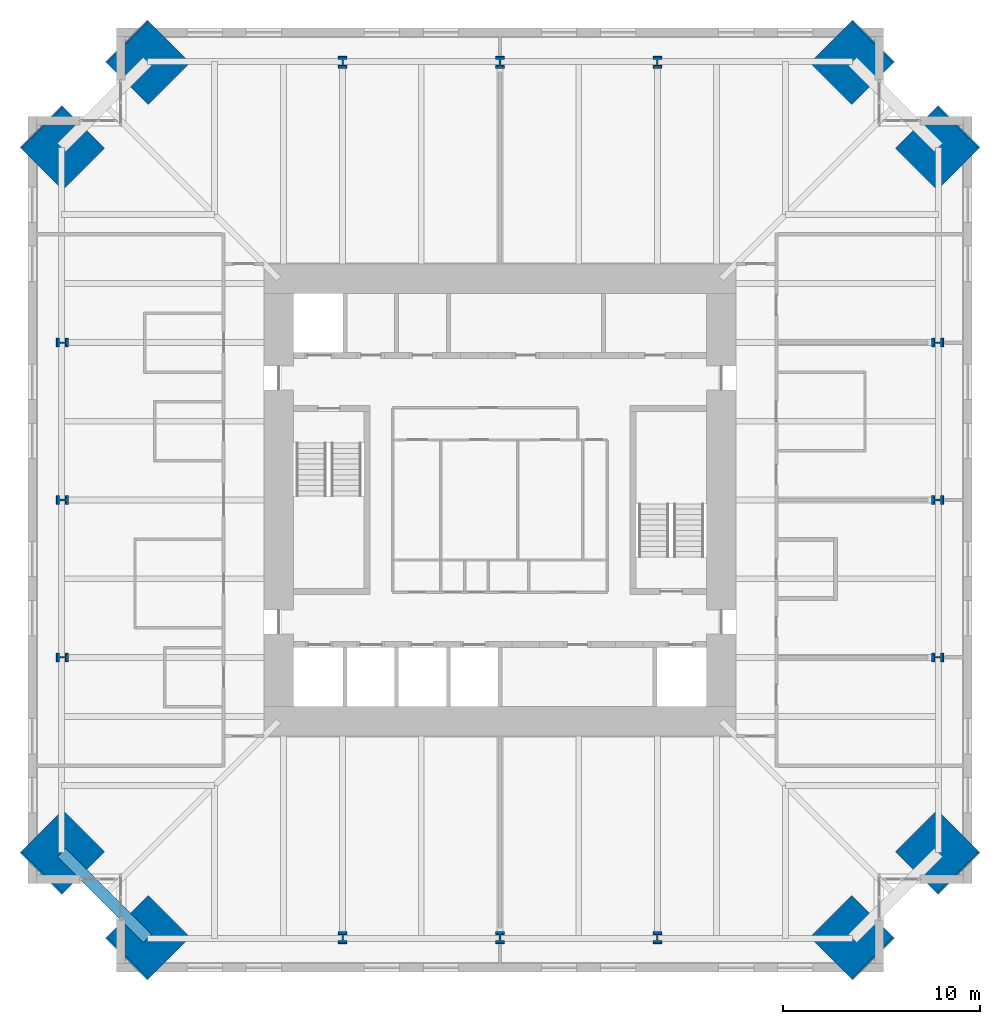
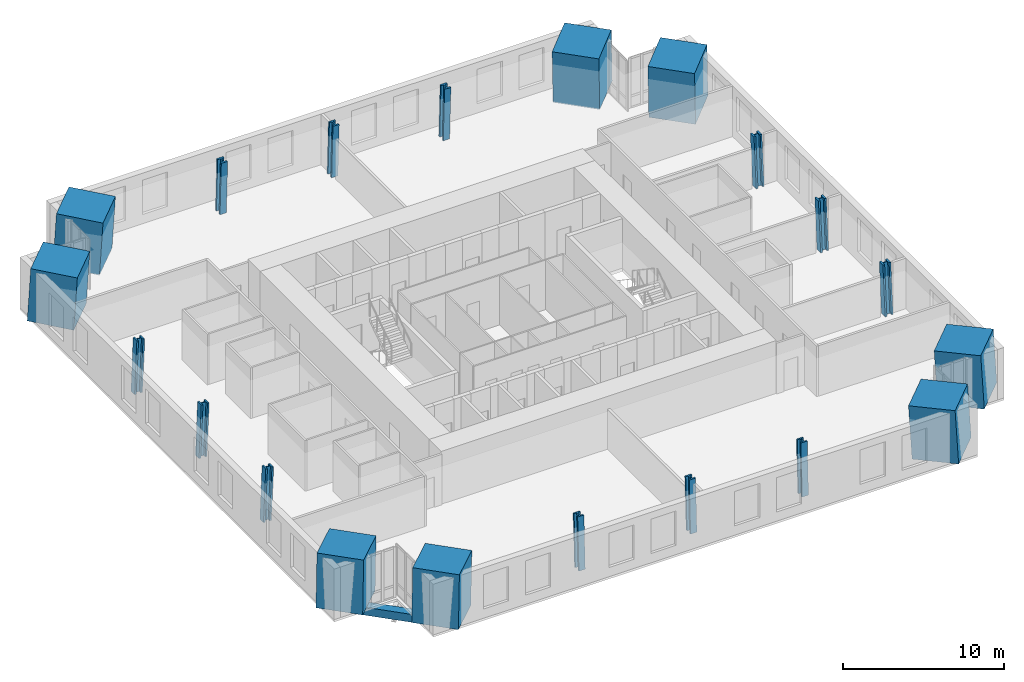
# One storey, part 1 of 15: 20 columns, 1 beam.
"""IFC4 building model written with IfcOpenShell, lengths in metres."""

from ifc_helpers import new_model, si_unit, direction, frame, origin, origin_2d, place, context, subcontext, project, spatial, rectangle, hollow_rectangle, i_section, extrude, material, material_profile, profile_set, type_object, element, save


model = new_model("IFC4")

# Units and contexts
model_context = context("Model", 3, precision=1e-05, world=origin(), true_north=direction((0.0, 1.0)))
body_context = subcontext(model_context, "Body", "Model", "MODEL_VIEW")
ifc_project = project(units=[si_unit("LENGTHUNIT", "METRE"), si_unit("AREAUNIT", "SQUARE_METRE"), si_unit("VOLUMEUNIT", "CUBIC_METRE"), si_unit("PLANEANGLEUNIT", "RADIAN"), si_unit("MASSUNIT", "GRAM", prefix="KILO")], contexts=[model_context])

# Site, building, storey
site_placement = place(None, origin())
site = spatial("IfcSite", under=ifc_project, at=site_placement, CompositionType="ELEMENT")
building_placement = place(site_placement, origin())
building = spatial("IfcBuilding", under=site, at=building_placement, Name="Peilmerk Tower", CompositionType="ELEMENT")
storey_placement = place(building_placement, frame((0.0, 0.0, 213.800048828125)))
storey = spatial("IfcBuildingStorey", under=building, at=storey_placement, Name="L46", CompositionType="ELEMENT", Elevation=213.800048828125)

# Columns
ifc_material_1 = material(Name="Concrete C90/105", Category="concrete")
ifc_material_profile_1 = material_profile(ifc_material_1, rectangle(XDim=3.0, YDim=3.0, at=origin_2d()), Name="RC 3000x3000")
ifc_profile_set_1 = profile_set([ifc_material_profile_1], Name="Concrete C90/105")
column_type_1 = type_object("IfcColumnType", Name="MC3 3000x3000 encased mega column", PredefinedType="COLUMN", material=ifc_profile_set_1)
for number, where, z_axis, x_axis, name in (
    (1, (17.92578125, 22.27587890625, 0.0), (-0.040278731567, -0.040278731567, 0.998376305592), (0.707106781187, -0.707106781187, 0.0), "Mega column MC3 NE_N L46"),
    (2, (22.27587890625, 17.92578125, 0.0), (-0.040278731567, -0.040278731567, 0.998376305592), (0.707106781187, -0.707106781187, 0.0), "Mega column MC3 NE_E L46"),
    (3, (22.27587890625, -17.92578125, 0.0), (-0.040278731567, 0.040278731567, 0.998376305592), (-0.707106781187, -0.707106781187, 0.0), "Mega column MC3 SE_E L46"),
    (4, (17.92578125, -22.27587890625, 0.0), (-0.040278731567, 0.040278731567, 0.998376305592), (-0.707106781187, -0.707106781187, 0.0), "Mega column MC3 SE_S L46"),
    (5, (-17.92578125, -22.27587890625, 0.0), (0.040278731567, 0.040278731567, 0.998376305592), (-0.707106781187, 0.707106781187, 0.0), "Mega column MC3 SW_S L46"),
    (6, (-22.27587890625, -17.92578125, 0.0), (0.040278731567, 0.040278731567, 0.998376305592), (-0.707106781187, 0.707106781187, 0.0), "Mega column MC3 SW_W L46"),
    (7, (-22.27587890625, 17.92578125, 0.0), (0.040278731567, -0.040278731567, 0.998376305592), (0.707106781187, 0.707106781187, 0.0), "Mega column MC3 NW_W L46"),
    (8, (-17.92578125, 22.27587890625, 0.0), (0.040278731567, -0.040278731567, 0.998376305592), (0.707106781187, 0.707106781187, 0.0), "Mega column MC3 NW_N L46"),
):
    element("IfcColumn", number, at=place(storey_placement, frame(where, z_axis=z_axis, x_axis=x_axis)), inside=storey, type_object=column_type_1, Name=name, PredefinedType="COLUMN", context=body_context, shape_type="SweptSolid", body=[
        extrude(rectangle(XDim=3.0, YDim=3.0, at=origin_2d()), origin(), (0.0, 0.0, 1.0), 4.006591796875),
    ])
ifc_material_2 = material(Name="Steel S460", Category="steel")
ifc_material_profile_2 = material_profile(ifc_material_2, i_section(OverallWidth=0.4541015625, OverallDepth=0.569091796875, WebThickness=0.077880859375, FlangeThickness=0.125, at=origin_2d()), Name="HD 400x1086")
ifc_profile_set_2 = profile_set([ifc_material_profile_2], Name="Steel S460")
column_type_2 = type_object("IfcColumnType", Name="SC6 HD 400x1086 interior column", PredefinedType="COLUMN", material=ifc_profile_set_2)
for number, where, z_axis, x_axis, name in (
    (9, (0.0, 22.27587890625, 0.0), (0.0, -0.040311445006, 0.999187163349), (1.0, 0.0, 0.0), "Perimeter column N+0 L46"),
    (10, (8.0, 22.27587890625, 0.0), (0.0, -0.040311445006, 0.999187163349), (1.0, 0.0, 0.0), "Perimeter column N-8 L46"),
    (11, (-8.0, 22.27587890625, 0.0), (0.0, -0.040311445006, 0.999187163349), (1.0, 0.0, 0.0), "Perimeter column N+8 L46"),
    (12, (22.27587890625, 0.0, 0.0), (-0.040311445006, 0.0, 0.999187163349), (0.0, -1.0, 0.0), "Perimeter column E+0 L46"),
    (13, (22.27587890625, -8.0, 0.0), (-0.040311445006, 0.0, 0.999187163349), (0.0, -1.0, 0.0), "Perimeter column E-8 L46"),
    (14, (22.27587890625, 8.0, 0.0), (-0.040311445006, 0.0, 0.999187163349), (0.0, -1.0, 0.0), "Perimeter column E+8 L46"),
    (15, (0.0, -22.27587890625, 0.0), (0.0, 0.040311445006, 0.999187163349), (-1.0, 0.0, 0.0), "Perimeter column S+0 L46"),
    (16, (-8.0, -22.27587890625, 0.0), (0.0, 0.040311445006, 0.999187163349), (-1.0, 0.0, 0.0), "Perimeter column S-8 L46"),
    (17, (8.0, -22.27587890625, 0.0), (0.0, 0.040311445006, 0.999187163349), (-1.0, 0.0, 0.0), "Perimeter column S+8 L46"),
    (18, (-22.27587890625, 0.0, 0.0), (0.040311445006, 0.0, 0.999187163349), (0.0, 1.0, 0.0), "Perimeter column W+0 L46"),
    (19, (-22.27587890625, 8.0, 0.0), (0.040311445006, 0.0, 0.999187163349), (0.0, 1.0, 0.0), "Perimeter column W-8 L46"),
    (20, (-22.27587890625, -8.0, 0.0), (0.040311445006, 0.0, 0.999187163349), (0.0, 1.0, 0.0), "Perimeter column W+8 L46"),
):
    element("IfcColumn", number, at=place(storey_placement, frame(where, z_axis=z_axis, x_axis=x_axis)), inside=storey, type_object=column_type_2, Name=name, PredefinedType="COLUMN", context=body_context, shape_type="SweptSolid", body=[
        extrude(i_section(OverallWidth=0.4541015625, OverallDepth=0.569091796875, WebThickness=0.077880859375, FlangeThickness=0.125, at=origin_2d()), origin(), (0.0, 0.0, 1.0), 4.003173828125),
    ])

# Beam
ifc_material_profile_3 = material_profile(ifc_material_2, hollow_rectangle(XDim=0.60009765625, YDim=0.60009765625, WallThickness=0.06005859375, at=origin_2d()), Name="BOX 600x600x60")
ifc_profile_set_3 = profile_set([ifc_material_profile_3], Name="Steel S460")
beam_type = type_object("IfcBeamType", Name="B20 BOX 600x600x60 notch beam", PredefinedType="SPANDREL", material=ifc_profile_set_3)
beam_placement = place(storey_placement, frame((-17.92578125, -22.27587890625, -0.469970703125), z_axis=(-0.707106781187, 0.707106781187, 0.0), x_axis=(-0.707106781187, -0.707106781187, 0.0)))
element("IfcBeam", 21, at=beam_placement, inside=storey, type_object=beam_type, Name="Notch beam L46", PredefinedType="SPANDREL", context=body_context, shape_type="SweptSolid", body=[
    extrude(hollow_rectangle(XDim=0.60009765625, YDim=0.60009765625, WallThickness=0.06005859375, at=origin_2d()), origin(), (0.0, 0.0, 1.0), 6.15185546875),
])

save(model, "model.ifc")
